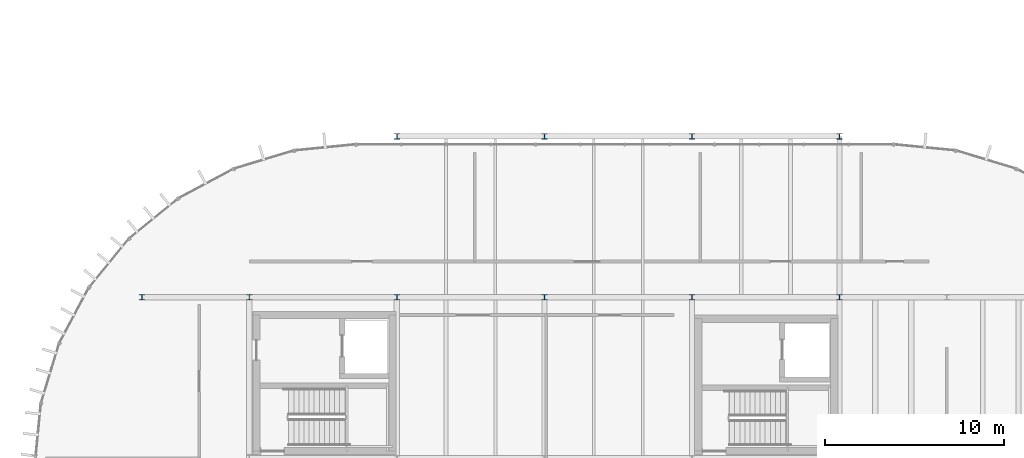
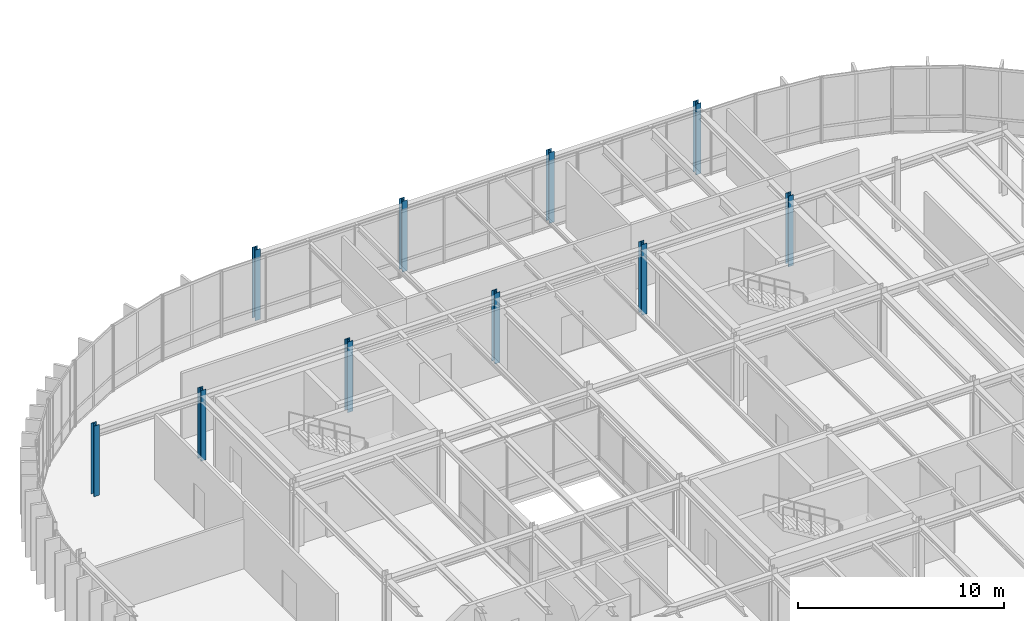
# One storey, part 3 of 27: 10 columns.
"""IFC4 building model written with IfcOpenShell, lengths in metres."""

from ifc_helpers import new_model, si_unit, direction, frame, origin, origin_2d, place, context, subcontext, project, spatial, i_section, extrude, material, material_profile, profile_set, type_object, element, save


model = new_model("IFC4")

# Units and contexts
model_context = context("Model", 3, precision=1e-05, world=origin(), true_north=direction((0.0, 1.0)))
body_context = subcontext(model_context, "Body", "Model", "MODEL_VIEW")
ifc_project = project(units=[si_unit("LENGTHUNIT", "METRE"), si_unit("AREAUNIT", "SQUARE_METRE"), si_unit("VOLUMEUNIT", "CUBIC_METRE"), si_unit("PLANEANGLEUNIT", "RADIAN"), si_unit("MASSUNIT", "GRAM", prefix="KILO")], contexts=[model_context])

# Site, building, storey
site_placement = place(None, origin())
site = spatial("IfcSite", under=ifc_project, at=site_placement, CompositionType="ELEMENT")
building_placement = place(site_placement, origin())
building = spatial("IfcBuilding", under=site, at=building_placement, Name="Montealbar Specialist Clinic", CompositionType="ELEMENT")
storey_placement = place(building_placement, frame((0.0, 0.0, 18.0)))
storey = spatial("IfcBuildingStorey", under=building, at=storey_placement, Name="L04", CompositionType="ELEMENT", Elevation=18.0)

# Columns
ifc_material = material(Name="Steel S355", Category="steel")
ifc_material_profile_1 = material_profile(ifc_material, i_section(OverallWidth=0.300048828125, OverallDepth=0.300048828125, WebThickness=0.010986328125, FlangeThickness=0.01904296875, FilletRadius=0.027099609375, at=origin_2d()), Name="HEB 300", Category="steel")
ifc_profile_set_1 = profile_set([ifc_material_profile_1], Name="Steel S355")
column_type_1 = type_object("IfcColumnType", Name="COL-S-L04-STD", PredefinedType="COLUMN", material=ifc_profile_set_1)
for number, where, z_axis, x_axis, name in (
    (1, (60.0, 36.0, 0.0), (0.0, 0.0, 1.0), (1.0, 0.0, 0.0), "Column 8/E L04"),
    (2, (66.0, 36.0, 0.0), (0.0, 0.0, 1.0), (1.0, 0.0, 0.0), "Column 9/E L04"),
    (3, (74.25, 36.0, 0.0), (0.0, 0.0, 1.0), (1.0, 0.0, 0.0), "Column 10/E L04"),
    (4, (82.5, 36.0, 0.0), (0.0, 0.0, 1.0), (1.0, 0.0, 0.0), "Column 11/E L04"),
    (5, (90.75, 36.0, 0.0), (0.0, 0.0, 1.0), (1.0, 0.0, 0.0), "Column 12/E L04"),
    (6, (99.0, 36.0, 0.0), (0.0, 0.0, 1.0), (1.0, 0.0, 0.0), "Column 13/E L04"),
):
    element("IfcColumn", number, at=place(storey_placement, frame(where, z_axis=z_axis, x_axis=x_axis)), inside=storey, type_object=column_type_1, Name=name, PredefinedType="COLUMN", context=body_context, shape_type="SweptSolid", body=[
        extrude(i_section(OverallWidth=0.300048828125, OverallDepth=0.300048828125, WebThickness=0.010986328125, FlangeThickness=0.01904296875, FilletRadius=0.027099609375, at=origin_2d()), origin(), (0.0, 0.0, 1.0), 4.199951171875),
    ])
ifc_material_profile_2 = material_profile(ifc_material, i_section(OverallWidth=0.300048828125, OverallDepth=0.300048828125, WebThickness=0.010986328125, FlangeThickness=0.01904296875, FilletRadius=0.027099609375, at=origin_2d()), Name="HEB 300", Category="steel")
ifc_profile_set_2 = profile_set([ifc_material_profile_2], Name="Steel S355")
column_type_2 = type_object("IfcColumnType", Name="COL-S-L04-STD-EXT", PredefinedType="COLUMN", material=ifc_profile_set_2)
for number, where, z_axis, x_axis, name in (
    (7, (74.25, 45.0, 0.0), (0.0, 0.0, 1.0), (1.0, 0.0, 0.0), "Column 10/F L04"),
    (8, (82.5, 45.0, 0.0), (0.0, 0.0, 1.0), (1.0, 0.0, 0.0), "Column 11/F L04"),
    (9, (90.75, 45.0, 0.0), (0.0, 0.0, 1.0), (1.0, 0.0, 0.0), "Column 12/F L04"),
    (10, (99.0, 45.0, 0.0), (0.0, 0.0, 1.0), (1.0, 0.0, 0.0), "Column 13/F L04"),
):
    element("IfcColumn", number, at=place(storey_placement, frame(where, z_axis=z_axis, x_axis=x_axis)), inside=storey, type_object=column_type_2, Name=name, PredefinedType="COLUMN", context=body_context, shape_type="SweptSolid", body=[
        extrude(i_section(OverallWidth=0.300048828125, OverallDepth=0.300048828125, WebThickness=0.010986328125, FlangeThickness=0.01904296875, FilletRadius=0.027099609375, at=origin_2d()), origin(), (0.0, 0.0, 1.0), 4.199951171875),
    ])

save(model, "model.ifc")
